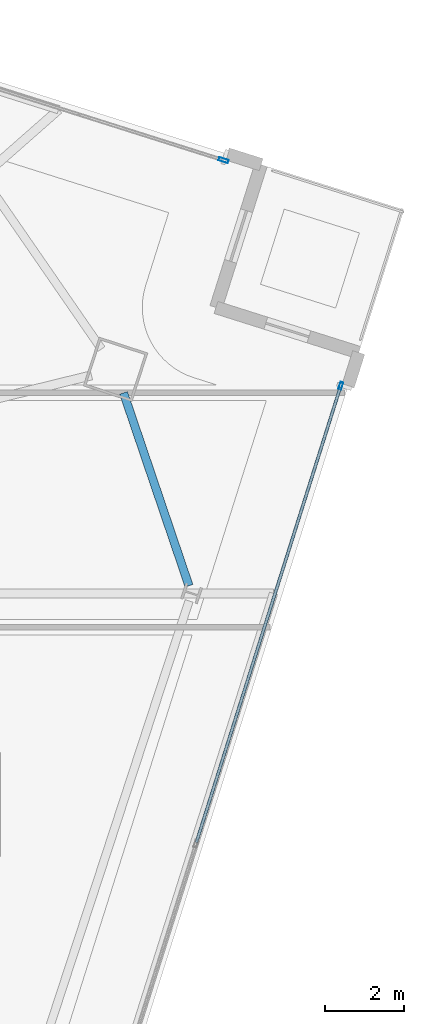
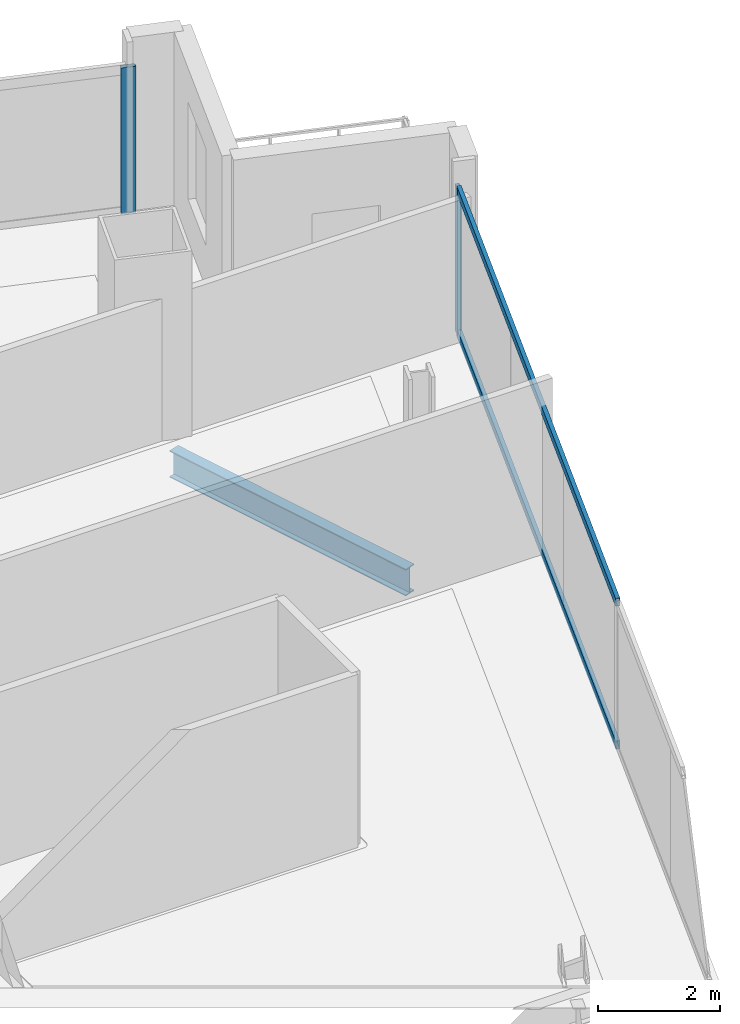
# One storey, part 16 of 26: 4 members, 1 beam, 2 elements without a shape of their own.
"""IFC4 building model written with IfcOpenShell, lengths in metres."""

import ifcopenshell
import ifcopenshell.guid

model = None  # the IFC model being written
_history = None  # IfcOwnerHistory: only IFC2X3 demands one
_inside = {}  # id of a spatial element -> (the spatial element, [elements in it])
_under = {}  # id of a project, library or spatial element -> (it, [spatial elements below it])
_declared = {}  # id of a project -> (the project, [libraries it declares])
_typed = {}  # id of a type object -> (the type object, [elements of that type])
_made_of = {}  # id of a material, layer set ... -> (it, [elements and type objects made of it])


def new_model(schema):
    """Start an empty IFC model of exactly this schema.

    Asked for "IFC4X3", IfcOpenShell would pick the latest addendum, in which some entities
    have other attributes; the version numbers below select the first issue.
    IFC2X3 requires an IfcOwnerHistory on every rooted entity: one is made here for all.
    """
    global model, _history
    if schema == "IFC4X3":
        model = ifcopenshell.file(schema_version=(4, 3, 0, 0))
    else:
        model = ifcopenshell.file(schema=schema)
    _inside.clear()
    _under.clear()
    _declared.clear()
    _typed.clear()
    _made_of.clear()
    _history = None
    if model.schema == "IFC2X3":
        org = make("IfcOrganization", Name="unknown")
        user = make(
            "IfcPersonAndOrganization",
            ThePerson=make("IfcPerson", FamilyName="unknown"),
            TheOrganization=org,
        )
        app = make(
            "IfcApplication",
            ApplicationDeveloper=org,
            Version="unknown",
            ApplicationFullName="unknown",
            ApplicationIdentifier="unknown",
        )
        _history = make(
            "IfcOwnerHistory",
            OwningUser=user,
            OwningApplication=app,
            ChangeAction="ADDED",
            CreationDate=0,
        )
    return model


def make(cls, **values):
    """One entity of the class cls with the attributes given. An attribute that is None is left unset."""
    return model.create_entity(
        cls, **{name: value for name, value in values.items() if value is not None}
    )


def rooted(cls, **values):
    """An entity with a GlobalId (a new one), such as an element, a storey or a relation."""
    return make(cls, GlobalId=ifcopenshell.guid.new(), OwnerHistory=_history, **values)


def si_unit(unit_type, name, prefix=None):
    """IfcSIUnit, for example si_unit("LENGTHUNIT", "METRE", prefix="MILLI")."""
    return make("IfcSIUnit", UnitType=unit_type, Prefix=prefix, Name=name)


def assignment(units):
    """IfcUnitAssignment: the units of a project."""
    return None if units is None else make("IfcUnitAssignment", Units=units)


def point(xyz):
    """IfcCartesianPoint."""
    return None if xyz is None else make("IfcCartesianPoint", Coordinates=xyz)


def direction(xyz):
    """IfcDirection."""
    return None if xyz is None else make("IfcDirection", DirectionRatios=xyz)


def frame(location, z_axis=None, x_axis=None):
    """IfcAxis2Placement3D, a coordinate frame: its origin and axes. An axis left out is left unset."""
    return make(
        "IfcAxis2Placement3D",
        Location=point(location),
        Axis=direction(z_axis),
        RefDirection=direction(x_axis),
    )


def frame_2d(location, x_axis=None):
    """IfcAxis2Placement2D, a coordinate frame in the plane: its origin and x axis."""
    return make(
        "IfcAxis2Placement2D", Location=point(location), RefDirection=direction(x_axis)
    )


def origin():
    """The frame at (0, 0, 0) with its axes left unset."""
    return frame((0.0, 0.0, 0.0))


def origin_2d():
    """The frame at (0, 0) in the plane with its x axis left unset."""
    return frame_2d((0.0, 0.0))


def place(relative_to, where):
    """IfcLocalPlacement: puts the frame where relative to a parent placement (None: the world)."""
    return make(
        "IfcLocalPlacement", PlacementRelTo=relative_to, RelativePlacement=where
    )


def context(
    kind, dimensions, precision=None, world=None, true_north=None, identifier=None
):
    """IfcGeometricRepresentationContext, for example the 3D "Model" context."""
    return make(
        "IfcGeometricRepresentationContext",
        ContextIdentifier=identifier,
        ContextType=kind,
        CoordinateSpaceDimension=dimensions,
        Precision=precision,
        WorldCoordinateSystem=world,
        TrueNorth=true_north,
    )


def subcontext(parent, identifier, kind, view, scale=None):
    """IfcGeometricRepresentationSubContext, for example "Body" below "Model"."""
    return make(
        "IfcGeometricRepresentationSubContext",
        ContextIdentifier=identifier,
        ContextType=kind,
        ParentContext=parent,
        TargetScale=scale,
        TargetView=view,
    )


def project(units=None, contexts=None):
    """IfcProject with its units and contexts."""
    return rooted(
        "IfcProject",
        Name="project",
        RepresentationContexts=contexts,
        UnitsInContext=assignment(units),
    )


def spatial(cls, under=None, at=None, **own):
    """A site, building, storey or space (cls), placed at a placement, below another one or the project."""
    s = rooted(cls, ObjectPlacement=at, **own)
    if under is not None:
        _under.setdefault(under.id(), (under, []))[1].append(s)
    return s


def profile(cls, at=None, kind="AREA", **sizes):
    """A parametric profile (cls). Its sizes go by their IFC names, for example OverallWidth=200.0."""
    return make(cls, ProfileType=kind, Position=at, **sizes)


def hollow_rectangle(**sizes):
    """IfcRectangleHollowProfileDef."""
    return profile("IfcRectangleHollowProfileDef", **sizes)


def i_section(**sizes):
    """IfcIShapeProfileDef."""
    return profile("IfcIShapeProfileDef", **sizes)


def extrude(swept, where, along, depth):
    """IfcExtrudedAreaSolid: the profile swept, set in the frame where, extruded along a direction by depth."""
    return make(
        "IfcExtrudedAreaSolid",
        SweptArea=swept,
        Position=where,
        ExtrudedDirection=direction(along),
        Depth=depth,
    )


def shape(context_of_items, identifier, shape_type, items):
    """IfcShapeRepresentation: the items that make up one representation, for example the "Body"."""
    return make(
        "IfcShapeRepresentation",
        ContextOfItems=context_of_items,
        RepresentationIdentifier=identifier,
        RepresentationType=shape_type,
        Items=items,
    )


def material(Name=None, Category=None):
    """IfcMaterial."""
    return make("IfcMaterial", Name=Name, Category=Category)


def material_profile(
    of_material, cross_section, Name=None, Category=None, Priority=None
):
    """IfcMaterialProfile: a cross section and its material."""
    return make(
        "IfcMaterialProfile",
        Name=Name,
        Material=of_material,
        Profile=cross_section,
        Priority=Priority,
        Category=Category,
    )


def profile_set(profiles, Name=None, composite=None):
    """IfcMaterialProfileSet."""
    return make(
        "IfcMaterialProfileSet",
        Name=Name,
        MaterialProfiles=profiles,
        CompositeProfile=composite,
    )


def made_of(thing, what):
    """Note that an element or type object is made of a material, layer set ...; save() writes the relation."""
    if what is not None:
        _made_of.setdefault(what.id(), (what, []))[1].append(thing)
    return thing


def type_object(cls, material=None, **own):
    """A type object (cls), such as IfcWallType, which elements share."""
    return made_of(rooted(cls, **own), material)


def element(
    cls,
    number,
    at=None,
    inside=None,
    cuts=None,
    type_object=None,
    material=None,
    context=None,
    identifier="Body",
    shape_type=None,
    held_by="IfcProductDefinitionShape",
    body=None,
    shapes=None,
    **own,
):
    """One element of the class cls, such as IfcWall. Its Tag is "e" and its number.

    at: its placement. inside: the storey or other place that contains it. cuts: it is an
    opening in that element (IfcRelVoidsElement). A single representation is given by context,
    identifier, shape_type and body (its items); several are given by shapes. held_by: the class
    of the entity that holds the representations. save() writes the other relations.
    """
    e = rooted(cls, Tag="e%d" % number, ObjectPlacement=at, **own)
    if body is not None:
        shapes = [shape(context, identifier, shape_type, body)]
    if shapes is not None:
        e.Representation = make(held_by, Representations=shapes)
    if inside is not None:
        _inside.setdefault(inside.id(), (inside, []))[1].append(e)
    if cuts is not None:
        rooted(
            "IfcRelVoidsElement", RelatingBuildingElement=cuts, RelatedOpeningElement=e
        )
    if type_object is not None:
        _typed.setdefault(type_object.id(), (type_object, []))[1].append(e)
    return made_of(e, material)


def aggregate(whole, parts):
    """IfcRelAggregates: a whole, such as a stair, and the parts it consists of."""
    return rooted("IfcRelAggregates", RelatingObject=whole, RelatedObjects=parts)


def save(model, path):
    """Write the relations noted so far, then the file.

    IfcRelAggregates (storeys below a building ...), IfcRelContainedInSpatialStructure (elements
    in a storey), IfcRelDefinesByType, IfcRelAssociatesMaterial and IfcRelDeclares: one each for
    every whole, place, type object, material and project.
    """
    for whole, parts in _under.values():
        aggregate(whole, parts)
    for where, things in _inside.values():
        rooted(
            "IfcRelContainedInSpatialStructure",
            RelatedElements=things,
            RelatingStructure=where,
        )
    for kind, things in _typed.values():
        rooted("IfcRelDefinesByType", RelatedObjects=things, RelatingType=kind)
    for what, things in _made_of.values():
        rooted("IfcRelAssociatesMaterial", RelatedObjects=things, RelatingMaterial=what)
    for by, libraries in _declared.values():
        rooted("IfcRelDeclares", RelatingContext=by, RelatedDefinitions=libraries)
    model.write(path)


model = new_model("IFC4")

# Units and contexts
model_context = context("Model", 3, precision=1e-05, world=origin(), true_north=direction((0.0, 1.0)))
body_context = subcontext(model_context, "Body", "Model", "MODEL_VIEW")
ifc_project = project(units=[si_unit("LENGTHUNIT", "METRE"), si_unit("AREAUNIT", "SQUARE_METRE"), si_unit("VOLUMEUNIT", "CUBIC_METRE"), si_unit("PLANEANGLEUNIT", "RADIAN"), si_unit("MASSUNIT", "GRAM", prefix="KILO")], contexts=[model_context])

# Site, building, storey
site_placement = place(None, origin())
site = spatial("IfcSite", under=ifc_project, at=site_placement, CompositionType="ELEMENT")
building_placement = place(site_placement, origin())
building = spatial("IfcBuilding", under=site, at=building_placement, Name="Haldenkirk Collegiate Tower", CompositionType="ELEMENT")
storey_placement = place(building_placement, frame((0.0, 0.0, 271.199951171875)))
storey = spatial("IfcBuildingStorey", under=building, at=storey_placement, Name="L68", CompositionType="ELEMENT", Elevation=271.199951171875)

# Beam
ifc_material_1 = material(Name="Steel ASTM A992 Grade 50", Category="steel")
ifc_material_profile_1 = material_profile(ifc_material_1, i_section(OverallWidth=0.2099609375, OverallDepth=0.537109375, WebThickness=0.010986328125, FlangeThickness=0.017333984375, at=origin_2d()), Name="W21X68")
ifc_profile_set_1 = profile_set([ifc_material_profile_1], Name="Steel ASTM A992 Grade 50")
beam_type = type_object("IfcBeamType", Name="BM-SPANDREL-W21X68", PredefinedType="SPANDREL", material=ifc_profile_set_1)
beam_placement = place(storey_placement, frame((59.258544921875, 31.5517578125, -0.538330078125), z_axis=(-0.321225245884, 0.947002820168, 0.0), x_axis=(-0.947002820168, -0.321225245884, 0.0)))
element("IfcBeam", 1, at=beam_placement, inside=storey, type_object=beam_type, Name="L68 perimeter spandrel beam 04", PredefinedType="SPANDREL", context=body_context, shape_type="SweptSolid", body=[
    extrude(i_section(OverallWidth=0.2099609375, OverallDepth=0.537109375, WebThickness=0.010986328125, FlangeThickness=0.017333984375, at=origin_2d()), origin(), (0.0, 0.0, 1.0), 5.1689453125),
])

# Curtain wall, member
ifc_material_2 = material(Name="Anodised architectural bronze aluminium", Category="aluminium")
curtain_wall_type_1 = type_object("IfcCurtainWallType", Name="CW-SYS2-CONCAVE", PredefinedType="USERDEFINED", material=ifc_material_2)
curtain_wall_1_placement = place(storey_placement, origin())
curtain_wall_1 = element("IfcCurtainWall", 2, at=curtain_wall_1_placement, inside=storey, type_object=curtain_wall_type_1, Name="L68 South concave recessed bronze-anodised curtain wall", ObjectType="UNITISED CURTAIN WALL", PredefinedType="USERDEFINED")
ifc_material_profile_2 = material_profile(ifc_material_2, hollow_rectangle(XDim=0.074951171875, YDim=0.18994140625, WallThickness=0.0048828125, at=origin_2d()), Name="CW-MUL-02")
ifc_profile_set_2 = profile_set([ifc_material_profile_2], Name="Anodised architectural bronze aluminium")
member_type_1 = type_object("IfcMemberType", Name="CW-MUL-02", PredefinedType="MULLION", material=ifc_profile_set_2)
member_1_placement = place(storey_placement, frame((63.11279296875, 36.6318359375, 0.0), z_axis=(0.0, 0.0, 1.0), x_axis=(0.953454589166, -0.301536641884, 0.0)))
member_1 = element("IfcMember", 3, at=member_1_placement, type_object=member_type_1, Name="CW-02 mullion 1", PredefinedType="MULLION", context=body_context, shape_type="SweptSolid", body=[
    extrude(hollow_rectangle(XDim=0.074951171875, YDim=0.18994140625, WallThickness=0.0048828125, at=origin_2d()), origin(), (0.0, 0.0, 1.0), 2.93798828125),
])

curtain_wall_type_2 = type_object("IfcCurtainWallType", Name="CW-SYS1B-CONVEX-HI", PredefinedType="USERDEFINED", material=ifc_material_2)
curtain_wall_2_placement = place(storey_placement, origin())
curtain_wall_2 = element("IfcCurtainWall", 4, at=curtain_wall_2_placement, inside=storey, type_object=curtain_wall_type_2, Name="L68 Upper tower high-wind convex bronze unitised curtain wall", ObjectType="UNITISED CURTAIN WALL", PredefinedType="USERDEFINED")
ifc_material_profile_3 = material_profile(ifc_material_2, hollow_rectangle(XDim=0.0849609375, YDim=0.25, WallThickness=0.0048828125, at=origin_2d()), Name="CW-MUL-1B")
ifc_profile_set_3 = profile_set([ifc_material_profile_3], Name="Anodised architectural bronze aluminium")
member_type_2 = type_object("IfcMemberType", Name="CW-MUL-1B", PredefinedType="MULLION", material=ifc_profile_set_3)
member_2_placement = place(storey_placement, frame((60.136962890625, 42.35302734375, 0.0), z_axis=(0.0, 0.0, 1.0), x_axis=(0.301537400144, 0.95345434936, 0.0)))
member_2 = element("IfcMember", 5, at=member_2_placement, type_object=member_type_2, Name="CW-1B mullion 4", PredefinedType="MULLION", context=body_context, shape_type="SweptSolid", body=[
    extrude(hollow_rectangle(XDim=0.0849609375, YDim=0.25, WallThickness=0.0048828125, at=origin_2d()), origin(), (0.0, 0.0, 1.0), 2.93798828125),
])
aggregate(curtain_wall_2, [member_2])

# Member
ifc_material_profile_4 = material_profile(ifc_material_2, hollow_rectangle(XDim=0.074951171875, YDim=0.159912109375, WallThickness=0.0048828125, at=origin_2d()), Name="CW-TRN-02")
ifc_profile_set_4 = profile_set([ifc_material_profile_4], Name="Anodised architectural bronze aluminium")
member_type_3 = type_object("IfcMemberType", Name="CW-TRN-02", PredefinedType="USERDEFINED", material=ifc_profile_set_4)
member_3_placement = place(storey_placement, frame((63.1015625, 36.59619140625, 0.03759765625), z_axis=(-0.301524642616, -0.953458383935, 0.0), x_axis=(0.953458383935, -0.301524642616, 0.0)))
member_3 = element("IfcMember", 6, at=member_3_placement, type_object=member_type_3, Name="CW-02 transom 1.1", ObjectType="TRANSOM", PredefinedType="USERDEFINED", context=body_context, shape_type="SweptSolid", body=[
    extrude(hollow_rectangle(XDim=0.074951171875, YDim=0.159912109375, WallThickness=0.0048828125, at=origin_2d()), origin(), (0.0, 0.0, 1.0), 12.12109375),
])

member_4_placement = place(storey_placement, frame((63.1015625, 36.59619140625, 2.900634765625), z_axis=(-0.301524642616, -0.953458383935, 0.0), x_axis=(0.953458383935, -0.301524642616, 0.0)))
member_4 = element("IfcMember", 7, at=member_4_placement, type_object=member_type_3, Name="CW-02 transom 1.2", ObjectType="TRANSOM", PredefinedType="USERDEFINED", context=body_context, shape_type="SweptSolid", body=[
    extrude(hollow_rectangle(XDim=0.074951171875, YDim=0.159912109375, WallThickness=0.0048828125, at=origin_2d()), origin(), (0.0, 0.0, 1.0), 12.12109375),
])

aggregate(curtain_wall_1, [member_1, member_3, member_4])

save(model, "model.ifc")
